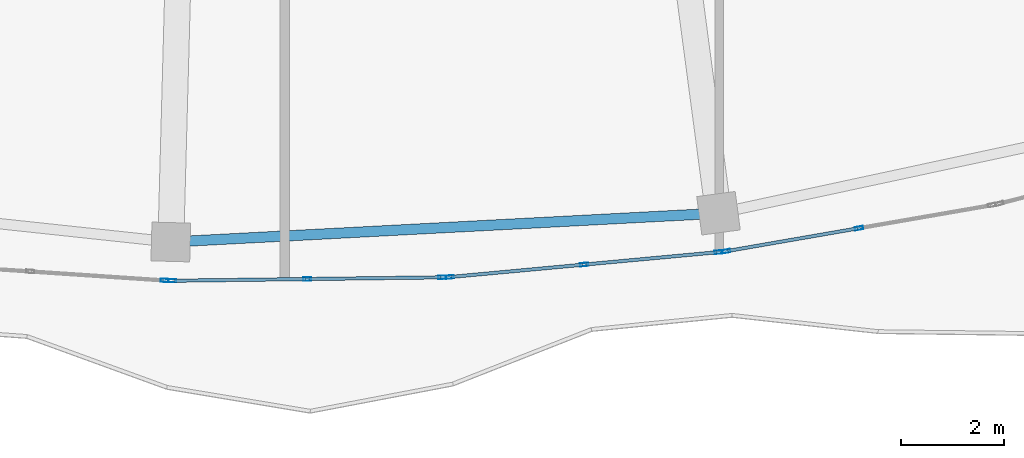
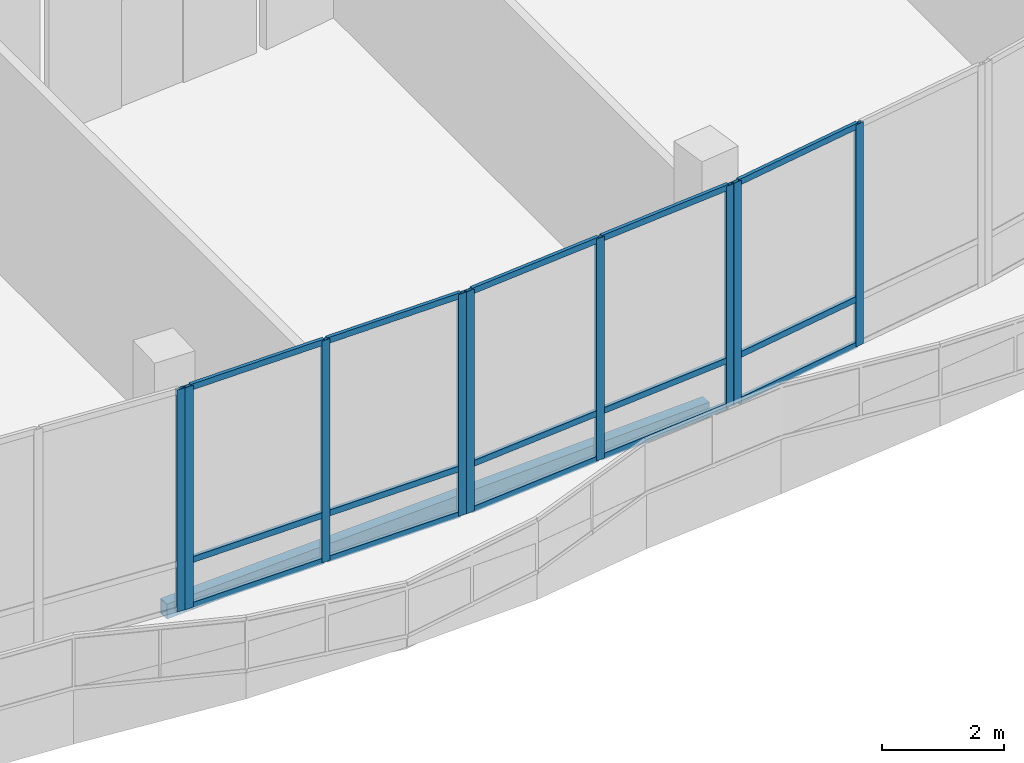
# One storey, part 24 of 168: 24 members, 1 beam, 4 elements without a shape of their own.
"""IFC4 building model written with IfcOpenShell, lengths in metres."""

from ifc_helpers import new_model, si_unit, direction, frame, origin, origin_2d, place, context, subcontext, project, spatial, hollow_rectangle, extrude, material, material_profile, profile_set, type_object, element, aggregate, save


model = new_model("IFC4")

# Units and contexts
model_context = context("Model", 3, precision=1e-05, world=origin(), true_north=direction((0.0, 1.0)))
body_context = subcontext(model_context, "Body", "Model", "MODEL_VIEW")
ifc_project = project(units=[si_unit("LENGTHUNIT", "METRE"), si_unit("AREAUNIT", "SQUARE_METRE"), si_unit("VOLUMEUNIT", "CUBIC_METRE"), si_unit("PLANEANGLEUNIT", "RADIAN"), si_unit("MASSUNIT", "GRAM", prefix="KILO")], contexts=[model_context])

# Site, building, storey
site_placement = place(None, origin())
site = spatial("IfcSite", under=ifc_project, at=site_placement, CompositionType="ELEMENT")
building_placement = place(site_placement, origin())
building = spatial("IfcBuilding", under=site, at=building_placement, Name="Selatvlak General Hospital", CompositionType="ELEMENT")
storey_placement = place(building_placement, frame((0.0, 0.0, 5.39990234375)))
storey = spatial("IfcBuildingStorey", under=building, at=storey_placement, Name="L01", CompositionType="ELEMENT", Elevation=5.39990234375)

# Beam
ifc_material_1 = material(Name="Steel S355", Category="steel")
ifc_material_profile_1 = material_profile(ifc_material_1, hollow_rectangle(XDim=0.199951171875, YDim=0.300048828125, WallThickness=0.011962890625, at=origin_2d()), Name="RHS 300x200x12")
ifc_profile_set_1 = profile_set([ifc_material_profile_1], Name="Steel S355")
beam_type = type_object("IfcBeamType", Name="BM-SP3", PredefinedType="SPANDREL", material=ifc_profile_set_1)
beam_placement = place(storey_placement, frame((54.196044921875, 12.77490234375, -0.469970703125), z_axis=(0.998624623926, 0.052429576466, 0.0), x_axis=(-0.052429576466, 0.998624623926, 0.0)))
element("IfcBeam", 1, at=beam_placement, inside=storey, type_object=beam_type, Name="Beam BMR-L01-0753", PredefinedType="SPANDREL", context=body_context, shape_type="SweptSolid", body=[
    extrude(hollow_rectangle(XDim=0.199951171875, YDim=0.300048828125, WallThickness=0.011962890625, at=origin_2d()), origin(), (0.0, 0.0, 1.0), 10.607666015625),
])

# Curtain wall, members
ifc_material_2 = material(Name="Solar-control Low-E double glazing", Category="glass")
curtain_wall_type_1 = type_object("IfcCurtainWallType", Name="CW-CW-01", PredefinedType="USERDEFINED", material=ifc_material_2)
curtain_wall_1_placement = place(storey_placement, origin())
curtain_wall_1 = element("IfcCurtainWall", 2, at=curtain_wall_1_placement, inside=storey, type_object=curtain_wall_type_1, Name="Glazed facade curtain wall CW-L01-0173", ObjectType="UNITISED CURTAIN WALL", PredefinedType="USERDEFINED")
ifc_material_3 = material(Name="Dark anodised aluminium mullion", Category="aluminium")
ifc_material_profile_2 = material_profile(ifc_material_3, hollow_rectangle(XDim=0.06494140625, YDim=0.159912109375, WallThickness=0.00390625, at=origin_2d()), Name="AL-MUL 65x160x4")
ifc_profile_set_2 = profile_set([ifc_material_profile_2], Name="Dark anodised aluminium mullion")
member_type_1 = type_object("IfcMemberType", Name="CWM-01", PredefinedType="MULLION", material=ifc_profile_set_2)
member_1_placement = place(storey_placement, frame((67.508056640625, 13.04248046875, 0.0), z_axis=(0.0, 0.0, 1.0), x_axis=(0.170838151242, -0.985299104881, 0.0)))
member_1 = element("IfcMember", 3, at=member_1_placement, type_object=member_type_1, Name="CW-01 mullion 2", PredefinedType="MULLION", context=body_context, shape_type="SweptSolid", body=[
    extrude(hollow_rectangle(XDim=0.06494140625, YDim=0.159912109375, WallThickness=0.00390625, at=origin_2d()), origin(), (0.0, 0.0, 1.0), 4.445068359375),
])
member_2_placement = place(storey_placement, frame((64.93603515625, 12.596435546875, 0.0), z_axis=(0.0, 0.0, 1.0), x_axis=(0.170838151242, -0.985299104881, 0.0)))
member_2 = element("IfcMember", 4, at=member_2_placement, type_object=member_type_1, Name="CW-01 mullion 3", PredefinedType="MULLION", context=body_context, shape_type="SweptSolid", body=[
    extrude(hollow_rectangle(XDim=0.06494140625, YDim=0.159912109375, WallThickness=0.00390625, at=origin_2d()), origin(), (0.0, 0.0, 1.0), 4.445068359375),
])

curtain_wall_type_2 = type_object("IfcCurtainWallType", Name="CW-CW-02", PredefinedType="USERDEFINED", material=ifc_material_2)
curtain_wall_2_placement = place(storey_placement, origin())
curtain_wall_2 = element("IfcCurtainWall", 5, at=curtain_wall_2_placement, inside=storey, type_object=curtain_wall_type_2, Name="Glazed facade curtain wall CW-L01-0174", ObjectType="UNITISED CURTAIN WALL", PredefinedType="USERDEFINED")
member_3_placement = place(storey_placement, frame((64.791748046875, 12.5791015625, 0.0), z_axis=(0.0, 0.0, 1.0), x_axis=(0.092291967773, -0.995731988381, 0.0)))
member_3 = element("IfcMember", 6, at=member_3_placement, type_object=member_type_1, Name="CW-02 mullion 1", PredefinedType="MULLION", context=body_context, shape_type="SweptSolid", body=[
    extrude(hollow_rectangle(XDim=0.06494140625, YDim=0.159912109375, WallThickness=0.00390625, at=origin_2d()), origin(), (0.0, 0.0, 1.0), 4.445068359375),
])
member_4_placement = place(storey_placement, frame((62.19140625, 12.337890625, 0.0), z_axis=(0.0, 0.0, 1.0), x_axis=(0.092291967773, -0.995731988381, 0.0)))
member_4 = element("IfcMember", 7, at=member_4_placement, type_object=member_type_1, Name="CW-02 mullion 2", PredefinedType="MULLION", context=body_context, shape_type="SweptSolid", body=[
    extrude(hollow_rectangle(XDim=0.06494140625, YDim=0.159912109375, WallThickness=0.00390625, at=origin_2d()), origin(), (0.0, 0.0, 1.0), 4.445068359375),
])
member_5_placement = place(storey_placement, frame((59.59130859375, 12.096923828125, 0.0), z_axis=(0.0, 0.0, 1.0), x_axis=(0.092291967773, -0.995731988381, 0.0)))
member_5 = element("IfcMember", 8, at=member_5_placement, type_object=member_type_1, Name="CW-02 mullion 3", PredefinedType="MULLION", context=body_context, shape_type="SweptSolid", body=[
    extrude(hollow_rectangle(XDim=0.06494140625, YDim=0.159912109375, WallThickness=0.00390625, at=origin_2d()), origin(), (0.0, 0.0, 1.0), 4.445068359375),
])

curtain_wall_3_placement = place(storey_placement, origin())
curtain_wall_3 = element("IfcCurtainWall", 9, at=curtain_wall_3_placement, inside=storey, type_object=curtain_wall_type_1, Name="Glazed facade curtain wall CW-L01-0175", ObjectType="UNITISED CURTAIN WALL", PredefinedType="USERDEFINED")
member_6_placement = place(storey_placement, frame((59.446533203125, 12.091552734375, 0.0), z_axis=(0.0, 0.0, 1.0), x_axis=(0.012671575694, -0.999919712362, 0.0)))
member_6 = element("IfcMember", 10, at=member_6_placement, type_object=member_type_1, Name="CW-01 mullion 1", PredefinedType="MULLION", context=body_context, shape_type="SweptSolid", body=[
    extrude(hollow_rectangle(XDim=0.06494140625, YDim=0.159912109375, WallThickness=0.00390625, at=origin_2d()), origin(), (0.0, 0.0, 1.0), 4.445068359375),
])
member_7_placement = place(storey_placement, frame((56.83544921875, 12.05859375, 0.0), z_axis=(0.0, 0.0, 1.0), x_axis=(0.012671575694, -0.999919712362, 0.0)))
member_7 = element("IfcMember", 11, at=member_7_placement, type_object=member_type_1, Name="CW-01 mullion 2", PredefinedType="MULLION", context=body_context, shape_type="SweptSolid", body=[
    extrude(hollow_rectangle(XDim=0.06494140625, YDim=0.159912109375, WallThickness=0.00390625, at=origin_2d()), origin(), (0.0, 0.0, 1.0), 4.445068359375),
])
member_8_placement = place(storey_placement, frame((54.224609375, 12.025390625, 0.0), z_axis=(0.0, 0.0, 1.0), x_axis=(0.012671575694, -0.999919712362, 0.0)))
member_8 = element("IfcMember", 12, at=member_8_placement, type_object=member_type_1, Name="CW-01 mullion 3", PredefinedType="MULLION", context=body_context, shape_type="SweptSolid", body=[
    extrude(hollow_rectangle(XDim=0.06494140625, YDim=0.159912109375, WallThickness=0.00390625, at=origin_2d()), origin(), (0.0, 0.0, 1.0), 4.445068359375),
])

# Curtain wall, member
curtain_wall_4_placement = place(storey_placement, origin())
curtain_wall_4 = element("IfcCurtainWall", 13, at=curtain_wall_4_placement, inside=storey, type_object=curtain_wall_type_2, Name="Glazed facade curtain wall CW-L01-0176", ObjectType="UNITISED CURTAIN WALL", PredefinedType="USERDEFINED")
member_9_placement = place(storey_placement, frame((54.07958984375, 12.03125, 0.0), z_axis=(0.0, 0.0, 1.0), x_axis=(-0.066782696801, -0.997767543774, 0.0)))
member_9 = element("IfcMember", 14, at=member_9_placement, type_object=member_type_1, Name="CW-02 mullion 1", PredefinedType="MULLION", context=body_context, shape_type="SweptSolid", body=[
    extrude(hollow_rectangle(XDim=0.06494140625, YDim=0.159912109375, WallThickness=0.00390625, at=origin_2d()), origin(), (0.0, 0.0, 1.0), 4.445068359375),
])
aggregate(curtain_wall_4, [member_9])

# Member
ifc_material_profile_3 = material_profile(ifc_material_3, hollow_rectangle(XDim=0.06494140625, YDim=0.1201171875, WallThickness=0.00390625, at=origin_2d()), Name="AL-TRN 65x120x4")
ifc_profile_set_3 = profile_set([ifc_material_profile_3], Name="Dark anodised aluminium mullion")
member_type_2 = type_object("IfcMemberType", Name="CWT-01", PredefinedType="USERDEFINED", material=ifc_profile_set_3)
member_10_placement = place(storey_placement, frame((67.47607421875, 13.036865234375, 0.03271484375), z_axis=(-0.985302424737, -0.170819003062, 0.0), x_axis=(0.170819003062, -0.985302424737, 0.0)))
member_10 = element("IfcMember", 15, at=member_10_placement, type_object=member_type_2, Name="CW-01 transom 2.1", ObjectType="TRANSOM", PredefinedType="USERDEFINED", context=body_context, shape_type="SweptSolid", body=[
    extrude(hollow_rectangle(XDim=0.06494140625, YDim=0.1201171875, WallThickness=0.00390625, at=origin_2d()), origin(), (0.0, 0.0, 1.0), 2.54541015625),
])

member_11_placement = place(storey_placement, frame((67.47607421875, 13.036865234375, 0.9501953125), z_axis=(-0.985302424737, -0.170819003062, 0.0), x_axis=(0.170819003062, -0.985302424737, 0.0)))
member_11 = element("IfcMember", 16, at=member_11_placement, type_object=member_type_2, Name="CW-01 transom 2.2", ObjectType="TRANSOM", PredefinedType="USERDEFINED", context=body_context, shape_type="SweptSolid", body=[
    extrude(hollow_rectangle(XDim=0.06494140625, YDim=0.1201171875, WallThickness=0.00390625, at=origin_2d()), origin(), (0.0, 0.0, 1.0), 2.54541015625),
])

member_12_placement = place(storey_placement, frame((67.47607421875, 13.036865234375, 4.41259765625), z_axis=(-0.985302424737, -0.170819003062, 0.0), x_axis=(0.170819003062, -0.985302424737, 0.0)))
member_12 = element("IfcMember", 17, at=member_12_placement, type_object=member_type_2, Name="CW-01 transom 2.3", ObjectType="TRANSOM", PredefinedType="USERDEFINED", context=body_context, shape_type="SweptSolid", body=[
    extrude(hollow_rectangle(XDim=0.06494140625, YDim=0.1201171875, WallThickness=0.00390625, at=origin_2d()), origin(), (0.0, 0.0, 1.0), 2.54541015625),
])

aggregate(curtain_wall_1, [member_1, member_2, member_10, member_11, member_12])

member_13_placement = place(storey_placement, frame((64.75927734375, 12.575927734375, 0.03271484375), z_axis=(-0.995736924013, -0.092238702061, 0.0), x_axis=(0.092238702061, -0.995736924013, 0.0)))
member_13 = element("IfcMember", 18, at=member_13_placement, type_object=member_type_2, Name="CW-02 transom 1.1", ObjectType="TRANSOM", PredefinedType="USERDEFINED", context=body_context, shape_type="SweptSolid", body=[
    extrude(hollow_rectangle(XDim=0.06494140625, YDim=0.1201171875, WallThickness=0.00390625, at=origin_2d()), origin(), (0.0, 0.0, 1.0), 2.546142578125),
])

member_14_placement = place(storey_placement, frame((64.75927734375, 12.575927734375, 0.9501953125), z_axis=(-0.995736924013, -0.092238702061, 0.0), x_axis=(0.092238702061, -0.995736924013, 0.0)))
member_14 = element("IfcMember", 19, at=member_14_placement, type_object=member_type_2, Name="CW-02 transom 1.2", ObjectType="TRANSOM", PredefinedType="USERDEFINED", context=body_context, shape_type="SweptSolid", body=[
    extrude(hollow_rectangle(XDim=0.06494140625, YDim=0.1201171875, WallThickness=0.00390625, at=origin_2d()), origin(), (0.0, 0.0, 1.0), 2.546142578125),
])

member_15_placement = place(storey_placement, frame((64.75927734375, 12.575927734375, 4.41259765625), z_axis=(-0.995736924013, -0.092238702061, 0.0), x_axis=(0.092238702061, -0.995736924013, 0.0)))
member_15 = element("IfcMember", 20, at=member_15_placement, type_object=member_type_2, Name="CW-02 transom 1.3", ObjectType="TRANSOM", PredefinedType="USERDEFINED", context=body_context, shape_type="SweptSolid", body=[
    extrude(hollow_rectangle(XDim=0.06494140625, YDim=0.1201171875, WallThickness=0.00390625, at=origin_2d()), origin(), (0.0, 0.0, 1.0), 2.546142578125),
])

member_16_placement = place(storey_placement, frame((62.1591796875, 12.3349609375, 0.03271484375), z_axis=(-0.995736924013, -0.092238702061, 0.0), x_axis=(0.092238702061, -0.995736924013, 0.0)))
member_16 = element("IfcMember", 21, at=member_16_placement, type_object=member_type_2, Name="CW-02 transom 2.1", ObjectType="TRANSOM", PredefinedType="USERDEFINED", context=body_context, shape_type="SweptSolid", body=[
    extrude(hollow_rectangle(XDim=0.06494140625, YDim=0.1201171875, WallThickness=0.00390625, at=origin_2d()), origin(), (0.0, 0.0, 1.0), 2.546142578125),
])

member_17_placement = place(storey_placement, frame((62.1591796875, 12.3349609375, 0.9501953125), z_axis=(-0.995736924013, -0.092238702061, 0.0), x_axis=(0.092238702061, -0.995736924013, 0.0)))
member_17 = element("IfcMember", 22, at=member_17_placement, type_object=member_type_2, Name="CW-02 transom 2.2", ObjectType="TRANSOM", PredefinedType="USERDEFINED", context=body_context, shape_type="SweptSolid", body=[
    extrude(hollow_rectangle(XDim=0.06494140625, YDim=0.1201171875, WallThickness=0.00390625, at=origin_2d()), origin(), (0.0, 0.0, 1.0), 2.546142578125),
])

member_18_placement = place(storey_placement, frame((62.1591796875, 12.3349609375, 4.41259765625), z_axis=(-0.995736924013, -0.092238702061, 0.0), x_axis=(0.092238702061, -0.995736924013, 0.0)))
member_18 = element("IfcMember", 23, at=member_18_placement, type_object=member_type_2, Name="CW-02 transom 2.3", ObjectType="TRANSOM", PredefinedType="USERDEFINED", context=body_context, shape_type="SweptSolid", body=[
    extrude(hollow_rectangle(XDim=0.06494140625, YDim=0.1201171875, WallThickness=0.00390625, at=origin_2d()), origin(), (0.0, 0.0, 1.0), 2.546142578125),
])

aggregate(curtain_wall_2, [member_3, member_4, member_5, member_13, member_14, member_15, member_16, member_17, member_18])

member_19_placement = place(storey_placement, frame((59.4140625, 12.091064453125, 0.03271484375), z_axis=(-0.99991990962, -0.01265600039, 0.0), x_axis=(0.01265600039, -0.99991990962, 0.0)))
member_19 = element("IfcMember", 24, at=member_19_placement, type_object=member_type_2, Name="CW-01 transom 1.1", ObjectType="TRANSOM", PredefinedType="USERDEFINED", context=body_context, shape_type="SweptSolid", body=[
    extrude(hollow_rectangle(XDim=0.06494140625, YDim=0.1201171875, WallThickness=0.00390625, at=origin_2d()), origin(), (0.0, 0.0, 1.0), 2.54638671875),
])

member_20_placement = place(storey_placement, frame((59.4140625, 12.091064453125, 0.9501953125), z_axis=(-0.99991990962, -0.01265600039, 0.0), x_axis=(0.01265600039, -0.99991990962, 0.0)))
member_20 = element("IfcMember", 25, at=member_20_placement, type_object=member_type_2, Name="CW-01 transom 1.2", ObjectType="TRANSOM", PredefinedType="USERDEFINED", context=body_context, shape_type="SweptSolid", body=[
    extrude(hollow_rectangle(XDim=0.06494140625, YDim=0.1201171875, WallThickness=0.00390625, at=origin_2d()), origin(), (0.0, 0.0, 1.0), 2.54638671875),
])

member_21_placement = place(storey_placement, frame((59.4140625, 12.091064453125, 4.41259765625), z_axis=(-0.99991990962, -0.01265600039, 0.0), x_axis=(0.01265600039, -0.99991990962, 0.0)))
member_21 = element("IfcMember", 26, at=member_21_placement, type_object=member_type_2, Name="CW-01 transom 1.3", ObjectType="TRANSOM", PredefinedType="USERDEFINED", context=body_context, shape_type="SweptSolid", body=[
    extrude(hollow_rectangle(XDim=0.06494140625, YDim=0.1201171875, WallThickness=0.00390625, at=origin_2d()), origin(), (0.0, 0.0, 1.0), 2.54638671875),
])

member_22_placement = place(storey_placement, frame((56.802978515625, 12.05810546875, 0.03271484375), z_axis=(-0.99991989426, -0.012657213851, 0.0), x_axis=(0.012657213851, -0.99991989426, 0.0)))
member_22 = element("IfcMember", 27, at=member_22_placement, type_object=member_type_2, Name="CW-01 transom 2.1", ObjectType="TRANSOM", PredefinedType="USERDEFINED", context=body_context, shape_type="SweptSolid", body=[
    extrude(hollow_rectangle(XDim=0.06494140625, YDim=0.1201171875, WallThickness=0.00390625, at=origin_2d()), origin(), (0.0, 0.0, 1.0), 2.546142578125),
])

member_23_placement = place(storey_placement, frame((56.802978515625, 12.05810546875, 0.9501953125), z_axis=(-0.99991989426, -0.012657213851, 0.0), x_axis=(0.012657213851, -0.99991989426, 0.0)))
member_23 = element("IfcMember", 28, at=member_23_placement, type_object=member_type_2, Name="CW-01 transom 2.2", ObjectType="TRANSOM", PredefinedType="USERDEFINED", context=body_context, shape_type="SweptSolid", body=[
    extrude(hollow_rectangle(XDim=0.06494140625, YDim=0.1201171875, WallThickness=0.00390625, at=origin_2d()), origin(), (0.0, 0.0, 1.0), 2.546142578125),
])

member_24_placement = place(storey_placement, frame((56.802978515625, 12.05810546875, 4.41259765625), z_axis=(-0.99991989426, -0.012657213851, 0.0), x_axis=(0.012657213851, -0.99991989426, 0.0)))
member_24 = element("IfcMember", 29, at=member_24_placement, type_object=member_type_2, Name="CW-01 transom 2.3", ObjectType="TRANSOM", PredefinedType="USERDEFINED", context=body_context, shape_type="SweptSolid", body=[
    extrude(hollow_rectangle(XDim=0.06494140625, YDim=0.1201171875, WallThickness=0.00390625, at=origin_2d()), origin(), (0.0, 0.0, 1.0), 2.546142578125),
])

aggregate(curtain_wall_3, [member_6, member_7, member_8, member_19, member_20, member_21, member_22, member_23, member_24])

save(model, "model.ifc")
